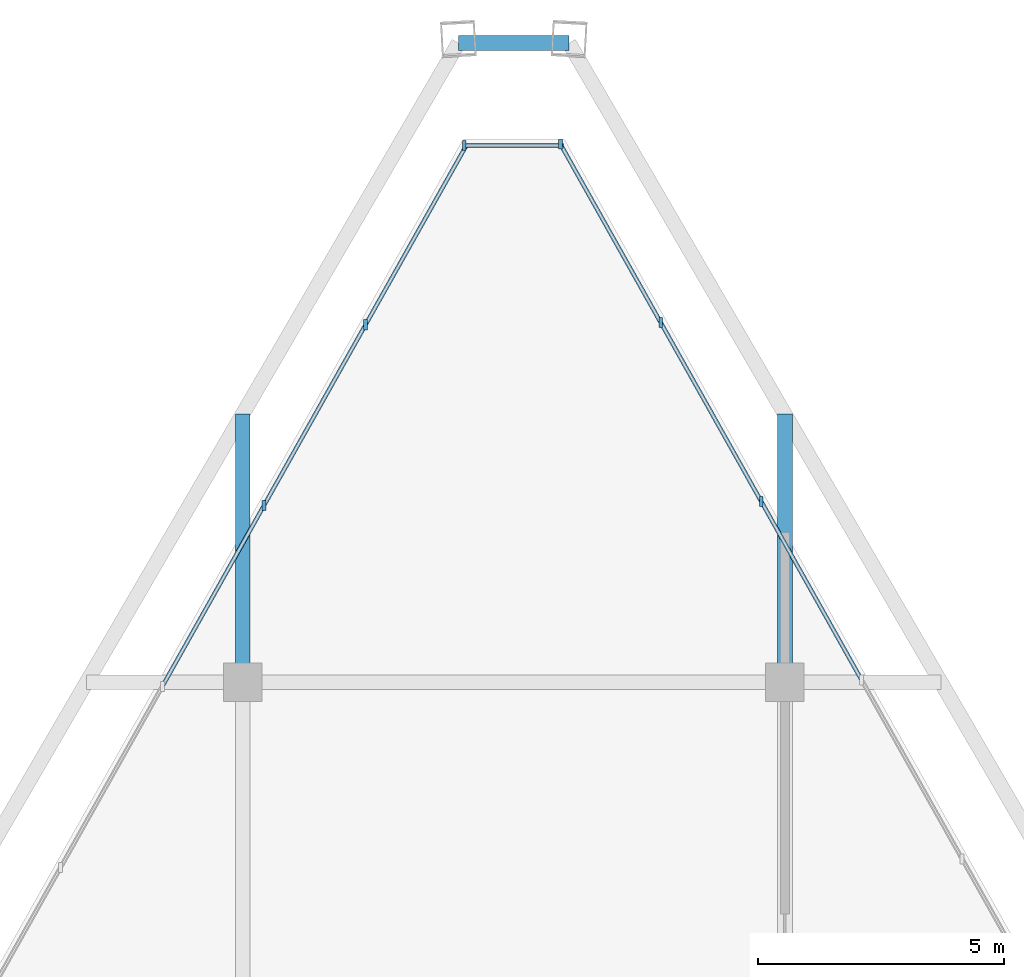
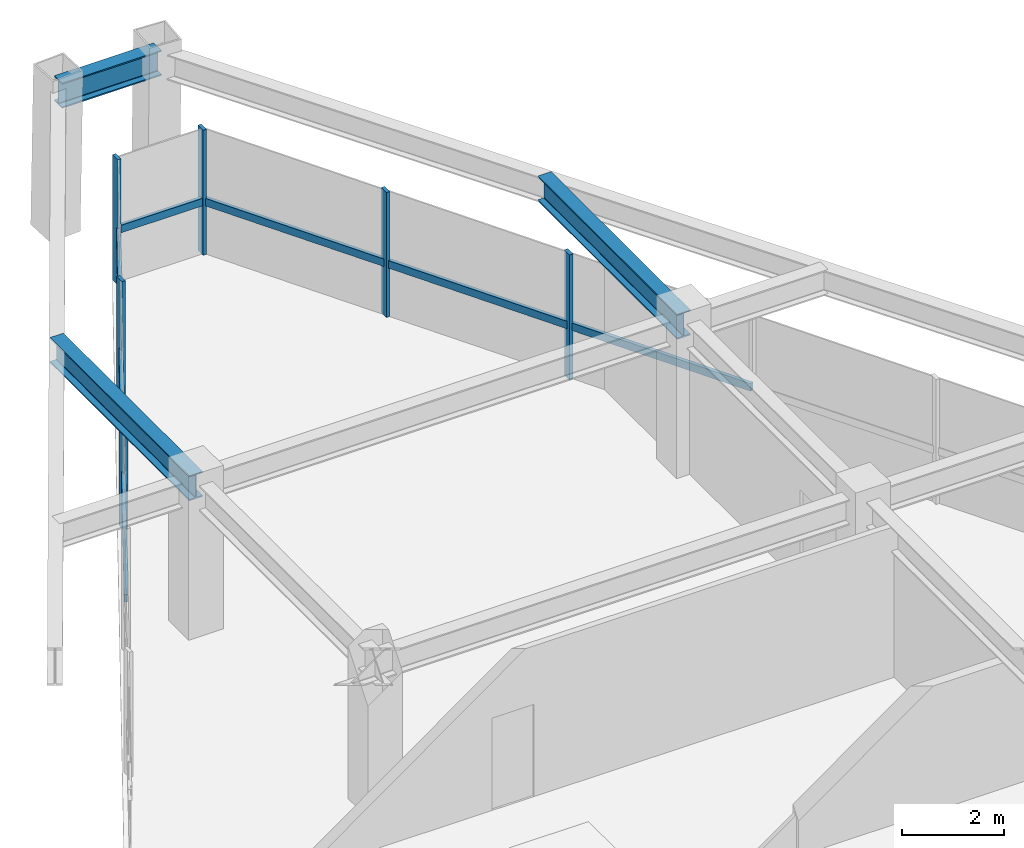
# One storey, part 8 of 12: 13 members, 3 beams, 3 elements without a shape of their own.
"""IFC4 building model written with IfcOpenShell, lengths in metres."""

from ifc_helpers import new_model, si_unit, direction, frame, origin, origin_2d, place, context, subcontext, project, spatial, rectangle, i_section, extrude, source, transform, mapped, material, material_profile, profile_set, type_object, type_shapes, element, aggregate, save


model = new_model("IFC4")

# Units and contexts
model_context = context("Model", 3, precision=1e-05, world=origin(), true_north=direction((0.0, 1.0)))
body_context = subcontext(model_context, "Body", "Model", "MODEL_VIEW")
ifc_project = project(units=[si_unit("LENGTHUNIT", "METRE"), si_unit("AREAUNIT", "SQUARE_METRE"), si_unit("VOLUMEUNIT", "CUBIC_METRE"), si_unit("PLANEANGLEUNIT", "RADIAN"), si_unit("MASSUNIT", "GRAM", prefix="KILO")], contexts=[model_context])

# Site, building, storey
site_placement = place(None, origin())
site = spatial("IfcSite", under=ifc_project, at=site_placement, CompositionType="ELEMENT")
building_placement = place(site_placement, origin())
building = spatial("IfcBuilding", under=site, at=building_placement, Name="Varnakhor Terracotta Tower", CompositionType="ELEMENT")
storey_placement = place(building_placement, frame((0.0, 0.0, 325.300048828125)))
storey = spatial("IfcBuildingStorey", under=building, at=storey_placement, Name="L85 Crown", CompositionType="ELEMENT", Elevation=325.300048828125)

# Beams
ifc_material_1 = material(Name="Steel S355", Category="steel")
ifc_material_profile_1 = material_profile(ifc_material_1, i_section(OverallWidth=0.300048828125, OverallDepth=0.60009765625, WebThickness=0.015380859375, FlangeThickness=0.030029296875, FilletRadius=0.01806640625, at=origin_2d()), Name="HEB600")
ifc_profile_set_1 = profile_set([ifc_material_profile_1], Name="Steel S355")
beam_type = type_object("IfcBeamType", Name="BM-HEB600", PredefinedType="BEAM", material=ifc_profile_set_1)
shared_shape_1 = source(origin(), body_context, "Body", "SweptSolid", [
    extrude(i_section(OverallWidth=0.300048828125, OverallDepth=0.60009765625, WebThickness=0.015380859375, FlangeThickness=0.030029296875, FilletRadius=0.01806640625, at=origin_2d()), origin(), (0.0, 0.0, 1.0), 2.240234375),
])
beam_placement = place(storey_placement, frame((1.1201171875, 44.468017578125, 3.300048828125), z_axis=(-1.0, 0.0, 0.0), x_axis=(0.0, -1.0, 0.0)))
element("IfcBeam", 1, at=beam_placement, inside=storey, type_object=beam_type, Name="L85 Crown Perimeter Spandrel 5", PredefinedType="BEAM", context=body_context, shape_type="MappedRepresentation", body=[
    mapped(shared_shape_1, transform((0.0, 0.0, 0.0), scale=1.0)),
])
shared_shape_2 = source(origin(), body_context, "Body", "SweptSolid", [
    extrude(i_section(OverallWidth=0.300048828125, OverallDepth=0.60009765625, WebThickness=0.015380859375, FlangeThickness=0.030029296875, FilletRadius=0.01806640625, at=origin_2d()), origin(), (0.0, 0.0, 1.0), 5.4404296875),
])
for number, where, z_axis, x_axis, name in (
    (2, (-5.5, 31.5, 3.300048828125), (0.0, 1.0, 0.0), (-1.0, 0.0, 0.0), "L85 Crown Primary Girder NS3-W"),
    (3, (5.5, 31.5, 3.300048828125), (0.0, 1.0, 0.0), (-1.0, 0.0, 0.0), "L85 Crown Primary Girder NS3-E"),
):
    element("IfcBeam", number, at=place(storey_placement, frame(where, z_axis=z_axis, x_axis=x_axis)), inside=storey, type_object=beam_type, Name=name, PredefinedType="BEAM", context=body_context, shape_type="MappedRepresentation", body=[
        mapped(shared_shape_2, transform((0.0, 0.0, 0.0), scale=1.0)),
    ])

# Curtain wall, members
ifc_material_2 = material(Name="Anodised Aluminium Curtain Wall System", Category="aluminium")
curtain_wall_type = type_object("IfcCurtainWallType", Name="CW-SYS-CROWN", PredefinedType="NOTDEFINED", material=ifc_material_2)
curtain_wall_1_placement = place(storey_placement, origin())
curtain_wall_1 = element("IfcCurtainWall", 4, at=curtain_wall_1_placement, inside=storey, type_object=curtain_wall_type, Name="L85 Crown Facet Curtain Wall 1", PredefinedType="NOTDEFINED")
ifc_material_3 = material(Name="Anodised Aluminium 6063-T6", Category="aluminium")
ifc_material_profile_2 = material_profile(ifc_material_3, rectangle(XDim=0.080078125, YDim=0.205078125, at=origin_2d()), Name="ALU MULLION 80x205")
ifc_profile_set_2 = profile_set([ifc_material_profile_2], Name="Anodised Aluminium 6063-T6")
member_type_1 = type_object("IfcMemberType", Name="CWM-06", PredefinedType="MULLION", material=ifc_profile_set_2)
shared_shape_3 = source(origin(), body_context, "Body", "SweptSolid", [
    extrude(rectangle(XDim=0.080078125, YDim=0.205078125, at=origin_2d()), origin(), (0.0, 0.0, 1.0), 2.97998046875),
])
type_shapes(member_type_1, [shared_shape_3])
member_1_placement = place(storey_placement, frame((-5.068359375, 35.083251953125, 0.0), z_axis=(0.0, 0.0, 1.0), x_axis=(1.0, 0.0, 0.0)))
member_1 = element("IfcMember", 5, at=member_1_placement, type_object=member_type_1, Name="L85 Crown Facet Curtain Wall 1 Mullion 10", PredefinedType="MULLION", context=body_context, shape_type="MappedRepresentation", body=[
    mapped(shared_shape_3, transform((0.0, 0.0, 0.0), scale=1.0)),
])
member_2_placement = place(storey_placement, frame((-3.00634765625, 38.752197265625, 0.0), z_axis=(0.0, 0.0, 1.0), x_axis=(1.0, 0.0, 0.0)))
member_2 = element("IfcMember", 6, at=member_2_placement, type_object=member_type_1, Name="L85 Crown Facet Curtain Wall 1 Mullion 11", PredefinedType="MULLION", context=body_context, shape_type="MappedRepresentation", body=[
    mapped(shared_shape_3, transform((0.0, 0.0, 0.0), scale=1.0)),
])

# Curtain wall, member
curtain_wall_2_placement = place(storey_placement, origin())
curtain_wall_2 = element("IfcCurtainWall", 7, at=curtain_wall_2_placement, inside=storey, type_object=curtain_wall_type, Name="L85 Crown Facet Curtain Wall 2", PredefinedType="NOTDEFINED")
member_3_placement = place(storey_placement, frame((-1.00439453125, 42.38623046875, 0.0), z_axis=(0.0, 0.0, 1.0), x_axis=(1.0, 0.0, 0.0)))
member_3 = element("IfcMember", 8, at=member_3_placement, type_object=member_type_1, Name="L85 Crown Facet Curtain Wall 2 Mullion 1", PredefinedType="MULLION", context=body_context, shape_type="MappedRepresentation", body=[
    mapped(shared_shape_3, transform((0.0, 0.0, 0.0), scale=1.0)),
])

# Curtain wall, members
curtain_wall_3_placement = place(storey_placement, origin())
curtain_wall_3 = element("IfcCurtainWall", 9, at=curtain_wall_3_placement, inside=storey, type_object=curtain_wall_type, Name="L85 Crown Facet Curtain Wall 3", PredefinedType="NOTDEFINED")
member_4_placement = place(storey_placement, frame((0.9443359375, 42.42138671875, 0.0), z_axis=(0.0, 0.0, 1.0), x_axis=(1.0, 0.0, 0.0)))
member_4 = element("IfcMember", 10, at=member_4_placement, type_object=member_type_1, Name="L85 Crown Facet Curtain Wall 3 Mullion 1", PredefinedType="MULLION", context=body_context, shape_type="MappedRepresentation", body=[
    mapped(shared_shape_3, transform((0.0, 0.0, 0.0), scale=1.0)),
])
member_5_placement = place(storey_placement, frame((2.982666015625, 38.794677734375, 0.0), z_axis=(0.0, 0.0, 1.0), x_axis=(1.0, 0.0, 0.0)))
member_5 = element("IfcMember", 11, at=member_5_placement, type_object=member_type_1, Name="L85 Crown Facet Curtain Wall 3 Mullion 2", PredefinedType="MULLION", context=body_context, shape_type="MappedRepresentation", body=[
    mapped(shared_shape_3, transform((0.0, 0.0, 0.0), scale=1.0)),
])
member_6_placement = place(storey_placement, frame((5.020751953125, 35.16796875, 0.0), z_axis=(0.0, 0.0, 1.0), x_axis=(1.0, 0.0, 0.0)))
member_6 = element("IfcMember", 12, at=member_6_placement, type_object=member_type_1, Name="L85 Crown Facet Curtain Wall 3 Mullion 3", PredefinedType="MULLION", context=body_context, shape_type="MappedRepresentation", body=[
    mapped(shared_shape_3, transform((0.0, 0.0, 0.0), scale=1.0)),
])

# Member
ifc_material_profile_3 = material_profile(ifc_material_3, rectangle(XDim=0.080078125, YDim=0.179931640625, at=origin_2d()), Name="ALU TRANSOM 80x180")
ifc_profile_set_3 = profile_set([ifc_material_profile_3], Name="Anodised Aluminium 6063-T6")
member_type_2 = type_object("IfcMemberType", Name="CWT-06", PredefinedType="USERDEFINED", material=ifc_profile_set_3)
shared_shape_4 = source(origin(), body_context, "Body", "SweptSolid", [
    extrude(rectangle(XDim=0.080078125, YDim=0.179931640625, at=origin_2d()), origin(), (0.0, 0.0, 1.0), 4.208740234375),
])
member_7_placement = place(storey_placement, frame((-7.13037109375, 31.414306640625, 1.25146484375), z_axis=(0.489941728353, 0.87175518514, 0.0), x_axis=(-0.87175518514, 0.489941728353, 0.0)))
member_7 = element("IfcMember", 13, at=member_7_placement, type_object=member_type_2, Name="L85 Crown Facet Curtain Wall 1 Transom 9", ObjectType="TRANSOM", PredefinedType="USERDEFINED", context=body_context, shape_type="MappedRepresentation", body=[
    mapped(shared_shape_4, transform((0.0, 0.0, 0.0), scale=1.0)),
])

member_8_placement = place(storey_placement, frame((-5.068359375, 35.083251953125, 1.25146484375), z_axis=(0.489941728353, 0.87175518514, 0.0), x_axis=(-0.87175518514, 0.489941728353, 0.0)))
member_8 = element("IfcMember", 14, at=member_8_placement, type_object=member_type_2, Name="L85 Crown Facet Curtain Wall 1 Transom 10", ObjectType="TRANSOM", PredefinedType="USERDEFINED", context=body_context, shape_type="MappedRepresentation", body=[
    mapped(shared_shape_4, transform((0.0, 0.0, 0.0), scale=1.0)),
])

shared_shape_5 = source(origin(), body_context, "Body", "SweptSolid", [
    extrude(rectangle(XDim=0.080078125, YDim=0.179931640625, at=origin_2d()), origin(), (0.0, 0.0, 1.0), 4.208984375),
])
member_9_placement = place(storey_placement, frame((-3.00634765625, 38.752197265625, 1.25146484375), z_axis=(0.489916953344, 0.871769108667, 0.0), x_axis=(-0.871769108667, 0.489916953344, 0.0)))
member_9 = element("IfcMember", 15, at=member_9_placement, type_object=member_type_2, Name="L85 Crown Facet Curtain Wall 1 Transom 11", ObjectType="TRANSOM", PredefinedType="USERDEFINED", context=body_context, shape_type="MappedRepresentation", body=[
    mapped(shared_shape_5, transform((0.0, 0.0, 0.0), scale=1.0)),
])

aggregate(curtain_wall_1, [member_7, member_1, member_8, member_2, member_9])

shared_shape_6 = source(origin(), body_context, "Body", "SweptSolid", [
    extrude(rectangle(XDim=0.080078125, YDim=0.179931640625, at=origin_2d()), origin(), (0.0, 0.0, 1.0), 2.0087890625),
])
member_10_placement = place(storey_placement, frame((-1.00439453125, 42.38623046875, 1.25146484375), z_axis=(1.0, 0.0, 0.0), x_axis=(0.0, 1.0, 0.0)))
member_10 = element("IfcMember", 16, at=member_10_placement, type_object=member_type_2, Name="L85 Crown Facet Curtain Wall 2 Transom 1", ObjectType="TRANSOM", PredefinedType="USERDEFINED", context=body_context, shape_type="MappedRepresentation", body=[
    mapped(shared_shape_6, transform((0.0, 0.0, 0.0), scale=1.0)),
])

aggregate(curtain_wall_2, [member_3, member_10])

shared_shape_7 = source(origin(), body_context, "Body", "SweptSolid", [
    extrude(rectangle(XDim=0.080078125, YDim=0.179931640625, at=origin_2d()), origin(), (0.0, 0.0, 1.0), 4.16015625),
])
member_11_placement = place(storey_placement, frame((0.9443359375, 42.42138671875, 1.25146484375), z_axis=(0.489951942835, -0.871749444343, 0.0), x_axis=(0.871749444343, 0.489951942835, 0.0)))
member_11 = element("IfcMember", 17, at=member_11_placement, type_object=member_type_2, Name="L85 Crown Facet Curtain Wall 3 Transom 1", ObjectType="TRANSOM", PredefinedType="USERDEFINED", context=body_context, shape_type="MappedRepresentation", body=[
    mapped(shared_shape_7, transform((0.0, 0.0, 0.0), scale=1.0)),
])

member_12_placement = place(storey_placement, frame((2.982666015625, 38.794677734375, 1.25146484375), z_axis=(0.489907344247, -0.871774508719, 0.0), x_axis=(0.871774508719, 0.489907344247, 0.0)))
member_12 = element("IfcMember", 18, at=member_12_placement, type_object=member_type_2, Name="L85 Crown Facet Curtain Wall 3 Transom 2", ObjectType="TRANSOM", PredefinedType="USERDEFINED", context=body_context, shape_type="MappedRepresentation", body=[
    mapped(shared_shape_7, transform((0.0, 0.0, 0.0), scale=1.0)),
])

member_13_placement = place(storey_placement, frame((5.020751953125, 35.16796875, 1.25146484375), z_axis=(0.489977008712, -0.871735356019, 0.0), x_axis=(0.871735356019, 0.489977008712, 0.0)))
member_13 = element("IfcMember", 19, at=member_13_placement, type_object=member_type_2, Name="L85 Crown Facet Curtain Wall 3 Transom 3", ObjectType="TRANSOM", PredefinedType="USERDEFINED", context=body_context, shape_type="MappedRepresentation", body=[
    mapped(shared_shape_7, transform((0.0, 0.0, 0.0), scale=1.0)),
])

aggregate(curtain_wall_3, [member_4, member_11, member_5, member_12, member_6, member_13])

save(model, "model.ifc")
